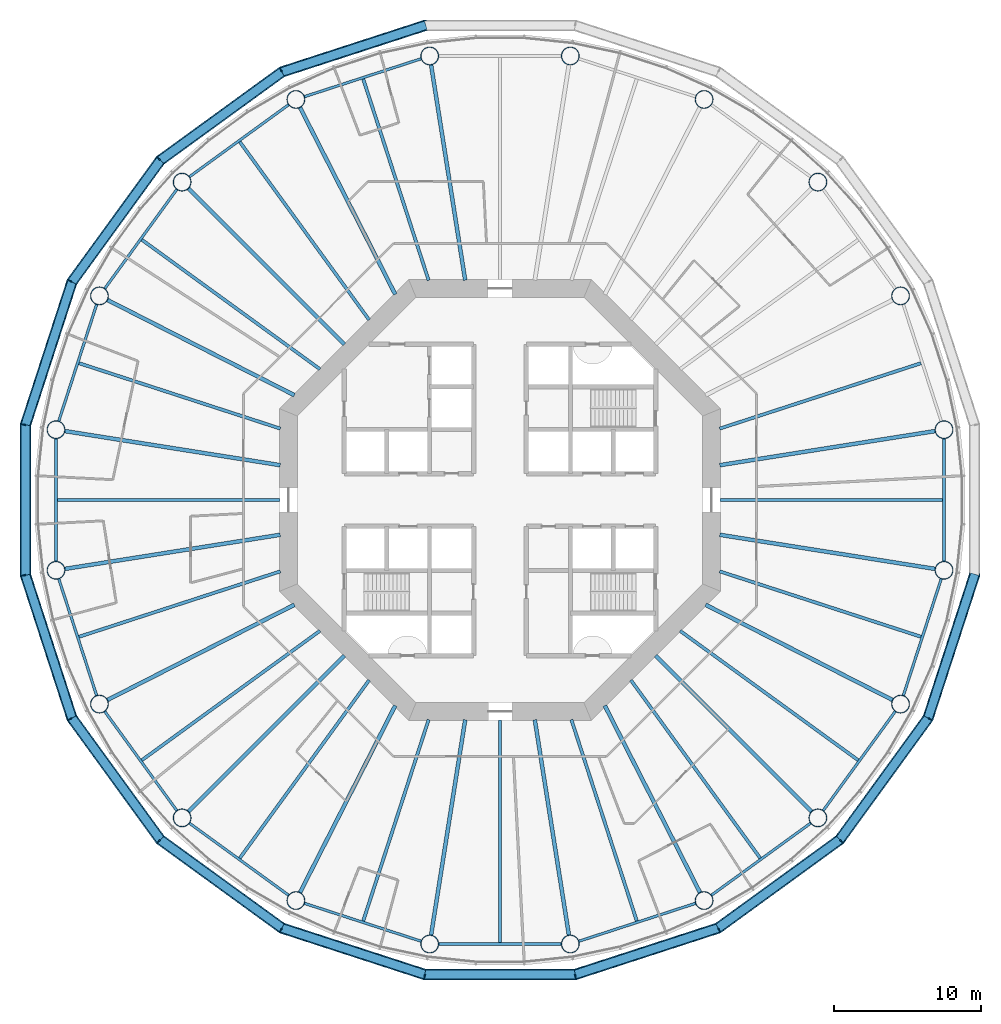
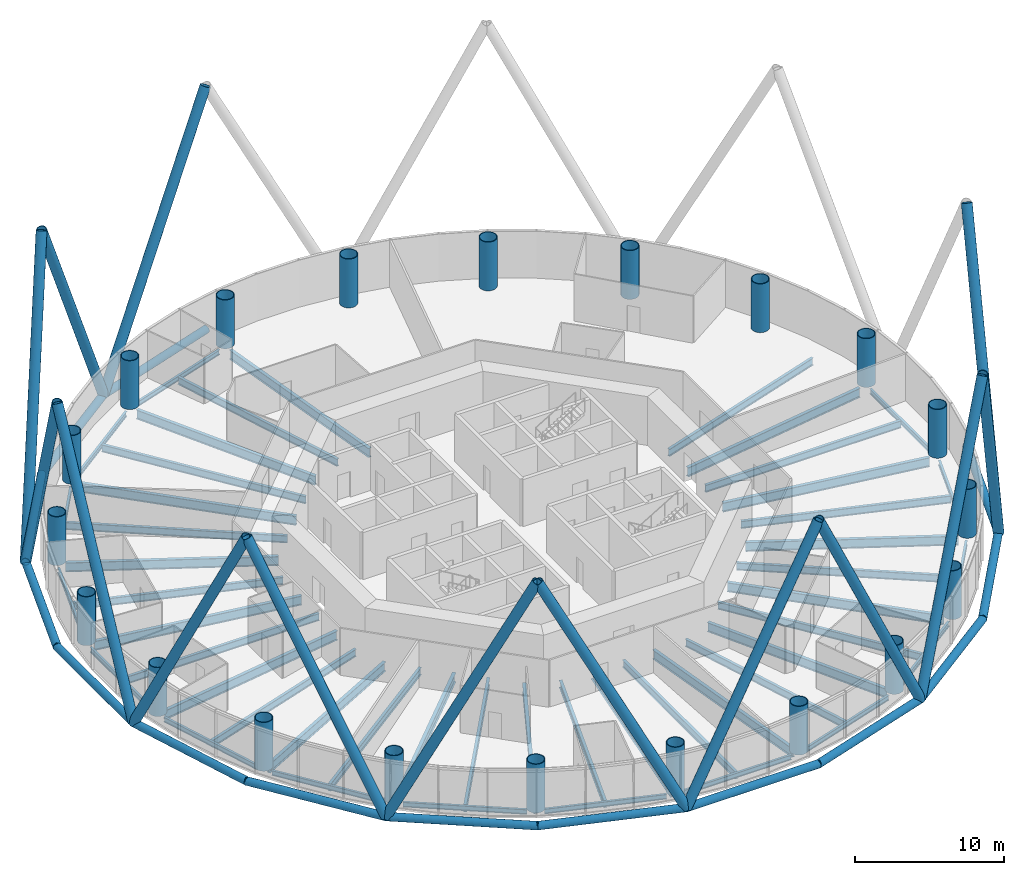
# One storey, part 1 of 13: 47 beams, 28 members, 20 columns.
"""IFC4 building model written with IfcOpenShell, lengths in metres."""

import ifcopenshell
import ifcopenshell.guid

model = None  # the IFC model being written
_history = None  # IfcOwnerHistory: only IFC2X3 demands one
_inside = {}  # id of a spatial element -> (the spatial element, [elements in it])
_under = {}  # id of a project, library or spatial element -> (it, [spatial elements below it])
_declared = {}  # id of a project -> (the project, [libraries it declares])
_typed = {}  # id of a type object -> (the type object, [elements of that type])
_made_of = {}  # id of a material, layer set ... -> (it, [elements and type objects made of it])


def new_model(schema):
    """Start an empty IFC model of exactly this schema.

    Asked for "IFC4X3", IfcOpenShell would pick the latest addendum, in which some entities
    have other attributes; the version numbers below select the first issue.
    IFC2X3 requires an IfcOwnerHistory on every rooted entity: one is made here for all.
    """
    global model, _history
    if schema == "IFC4X3":
        model = ifcopenshell.file(schema_version=(4, 3, 0, 0))
    else:
        model = ifcopenshell.file(schema=schema)
    _inside.clear()
    _under.clear()
    _declared.clear()
    _typed.clear()
    _made_of.clear()
    _history = None
    if model.schema == "IFC2X3":
        org = make("IfcOrganization", Name="unknown")
        user = make(
            "IfcPersonAndOrganization",
            ThePerson=make("IfcPerson", FamilyName="unknown"),
            TheOrganization=org,
        )
        app = make(
            "IfcApplication",
            ApplicationDeveloper=org,
            Version="unknown",
            ApplicationFullName="unknown",
            ApplicationIdentifier="unknown",
        )
        _history = make(
            "IfcOwnerHistory",
            OwningUser=user,
            OwningApplication=app,
            ChangeAction="ADDED",
            CreationDate=0,
        )
    return model


def make(cls, **values):
    """One entity of the class cls with the attributes given. An attribute that is None is left unset."""
    return model.create_entity(
        cls, **{name: value for name, value in values.items() if value is not None}
    )


def rooted(cls, **values):
    """An entity with a GlobalId (a new one), such as an element, a storey or a relation."""
    return make(cls, GlobalId=ifcopenshell.guid.new(), OwnerHistory=_history, **values)


def si_unit(unit_type, name, prefix=None):
    """IfcSIUnit, for example si_unit("LENGTHUNIT", "METRE", prefix="MILLI")."""
    return make("IfcSIUnit", UnitType=unit_type, Prefix=prefix, Name=name)


def assignment(units):
    """IfcUnitAssignment: the units of a project."""
    return None if units is None else make("IfcUnitAssignment", Units=units)


def point(xyz):
    """IfcCartesianPoint."""
    return None if xyz is None else make("IfcCartesianPoint", Coordinates=xyz)


def direction(xyz):
    """IfcDirection."""
    return None if xyz is None else make("IfcDirection", DirectionRatios=xyz)


def frame(location, z_axis=None, x_axis=None):
    """IfcAxis2Placement3D, a coordinate frame: its origin and axes. An axis left out is left unset."""
    return make(
        "IfcAxis2Placement3D",
        Location=point(location),
        Axis=direction(z_axis),
        RefDirection=direction(x_axis),
    )


def frame_2d(location, x_axis=None):
    """IfcAxis2Placement2D, a coordinate frame in the plane: its origin and x axis."""
    return make(
        "IfcAxis2Placement2D", Location=point(location), RefDirection=direction(x_axis)
    )


def origin():
    """The frame at (0, 0, 0) with its axes left unset."""
    return frame((0.0, 0.0, 0.0))


def origin_2d():
    """The frame at (0, 0) in the plane with its x axis left unset."""
    return frame_2d((0.0, 0.0))


def place(relative_to, where):
    """IfcLocalPlacement: puts the frame where relative to a parent placement (None: the world)."""
    return make(
        "IfcLocalPlacement", PlacementRelTo=relative_to, RelativePlacement=where
    )


def context(
    kind, dimensions, precision=None, world=None, true_north=None, identifier=None
):
    """IfcGeometricRepresentationContext, for example the 3D "Model" context."""
    return make(
        "IfcGeometricRepresentationContext",
        ContextIdentifier=identifier,
        ContextType=kind,
        CoordinateSpaceDimension=dimensions,
        Precision=precision,
        WorldCoordinateSystem=world,
        TrueNorth=true_north,
    )


def subcontext(parent, identifier, kind, view, scale=None):
    """IfcGeometricRepresentationSubContext, for example "Body" below "Model"."""
    return make(
        "IfcGeometricRepresentationSubContext",
        ContextIdentifier=identifier,
        ContextType=kind,
        ParentContext=parent,
        TargetScale=scale,
        TargetView=view,
    )


def project(units=None, contexts=None):
    """IfcProject with its units and contexts."""
    return rooted(
        "IfcProject",
        Name="project",
        RepresentationContexts=contexts,
        UnitsInContext=assignment(units),
    )


def spatial(cls, under=None, at=None, **own):
    """A site, building, storey or space (cls), placed at a placement, below another one or the project."""
    s = rooted(cls, ObjectPlacement=at, **own)
    if under is not None:
        _under.setdefault(under.id(), (under, []))[1].append(s)
    return s


def profile(cls, at=None, kind="AREA", **sizes):
    """A parametric profile (cls). Its sizes go by their IFC names, for example OverallWidth=200.0."""
    return make(cls, ProfileType=kind, Position=at, **sizes)


def circle(**sizes):
    """IfcCircleProfileDef."""
    return profile("IfcCircleProfileDef", **sizes)


def hollow_circle(**sizes):
    """IfcCircleHollowProfileDef."""
    return profile("IfcCircleHollowProfileDef", **sizes)


def i_section(**sizes):
    """IfcIShapeProfileDef."""
    return profile("IfcIShapeProfileDef", **sizes)


def extrude(swept, where, along, depth):
    """IfcExtrudedAreaSolid: the profile swept, set in the frame where, extruded along a direction by depth."""
    return make(
        "IfcExtrudedAreaSolid",
        SweptArea=swept,
        Position=where,
        ExtrudedDirection=direction(along),
        Depth=depth,
    )


def shape(context_of_items, identifier, shape_type, items):
    """IfcShapeRepresentation: the items that make up one representation, for example the "Body"."""
    return make(
        "IfcShapeRepresentation",
        ContextOfItems=context_of_items,
        RepresentationIdentifier=identifier,
        RepresentationType=shape_type,
        Items=items,
    )


def material(Name=None, Category=None):
    """IfcMaterial."""
    return make("IfcMaterial", Name=Name, Category=Category)


def material_profile(
    of_material, cross_section, Name=None, Category=None, Priority=None
):
    """IfcMaterialProfile: a cross section and its material."""
    return make(
        "IfcMaterialProfile",
        Name=Name,
        Material=of_material,
        Profile=cross_section,
        Priority=Priority,
        Category=Category,
    )


def profile_set(profiles, Name=None, composite=None):
    """IfcMaterialProfileSet."""
    return make(
        "IfcMaterialProfileSet",
        Name=Name,
        MaterialProfiles=profiles,
        CompositeProfile=composite,
    )


def made_of(thing, what):
    """Note that an element or type object is made of a material, layer set ...; save() writes the relation."""
    if what is not None:
        _made_of.setdefault(what.id(), (what, []))[1].append(thing)
    return thing


def type_object(cls, material=None, **own):
    """A type object (cls), such as IfcWallType, which elements share."""
    return made_of(rooted(cls, **own), material)


def element(
    cls,
    number,
    at=None,
    inside=None,
    cuts=None,
    type_object=None,
    material=None,
    context=None,
    identifier="Body",
    shape_type=None,
    held_by="IfcProductDefinitionShape",
    body=None,
    shapes=None,
    **own,
):
    """One element of the class cls, such as IfcWall. Its Tag is "e" and its number.

    at: its placement. inside: the storey or other place that contains it. cuts: it is an
    opening in that element (IfcRelVoidsElement). A single representation is given by context,
    identifier, shape_type and body (its items); several are given by shapes. held_by: the class
    of the entity that holds the representations. save() writes the other relations.
    """
    e = rooted(cls, Tag="e%d" % number, ObjectPlacement=at, **own)
    if body is not None:
        shapes = [shape(context, identifier, shape_type, body)]
    if shapes is not None:
        e.Representation = make(held_by, Representations=shapes)
    if inside is not None:
        _inside.setdefault(inside.id(), (inside, []))[1].append(e)
    if cuts is not None:
        rooted(
            "IfcRelVoidsElement", RelatingBuildingElement=cuts, RelatedOpeningElement=e
        )
    if type_object is not None:
        _typed.setdefault(type_object.id(), (type_object, []))[1].append(e)
    return made_of(e, material)


def aggregate(whole, parts):
    """IfcRelAggregates: a whole, such as a stair, and the parts it consists of."""
    return rooted("IfcRelAggregates", RelatingObject=whole, RelatedObjects=parts)


def save(model, path):
    """Write the relations noted so far, then the file.

    IfcRelAggregates (storeys below a building ...), IfcRelContainedInSpatialStructure (elements
    in a storey), IfcRelDefinesByType, IfcRelAssociatesMaterial and IfcRelDeclares: one each for
    every whole, place, type object, material and project.
    """
    for whole, parts in _under.values():
        aggregate(whole, parts)
    for where, things in _inside.values():
        rooted(
            "IfcRelContainedInSpatialStructure",
            RelatedElements=things,
            RelatingStructure=where,
        )
    for kind, things in _typed.values():
        rooted("IfcRelDefinesByType", RelatedObjects=things, RelatingType=kind)
    for what, things in _made_of.values():
        rooted("IfcRelAssociatesMaterial", RelatedObjects=things, RelatingMaterial=what)
    for by, libraries in _declared.values():
        rooted("IfcRelDeclares", RelatingContext=by, RelatedDefinitions=libraries)
    model.write(path)


model = new_model("IFC4")

# Units and contexts
model_context = context("Model", 3, precision=1e-05, world=origin(), true_north=direction((0.0, 1.0)))
body_context = subcontext(model_context, "Body", "Model", "MODEL_VIEW")
ifc_project = project(units=[si_unit("LENGTHUNIT", "METRE"), si_unit("AREAUNIT", "SQUARE_METRE"), si_unit("VOLUMEUNIT", "CUBIC_METRE"), si_unit("PLANEANGLEUNIT", "RADIAN"), si_unit("MASSUNIT", "GRAM", prefix="KILO")], contexts=[model_context])

# Site, building, storey
site_placement = place(None, origin())
site = spatial("IfcSite", under=ifc_project, at=site_placement, CompositionType="ELEMENT")
building_placement = place(site_placement, origin())
building = spatial("IfcBuilding", under=site, at=building_placement, Name="Entoto Ring Tower", CompositionType="ELEMENT")
storey_placement = place(building_placement, frame((0.0, 0.0, 96.0)))
storey = spatial("IfcBuildingStorey", under=building, at=storey_placement, Name="L21", CompositionType="ELEMENT", Elevation=96.0)

# Columns
ifc_material_1 = material(Name="Steel S355", Category="steel")
ifc_material_profile_1 = material_profile(ifc_material_1, hollow_circle(Radius=0.625, WallThickness=0.054931640625, at=origin_2d()), Name="CHS 1250 x 55")
ifc_material_2 = material(Name="Concrete C60/75", Category="concrete")
ifc_material_profile_2 = material_profile(ifc_material_2, circle(Radius=0.570068359375, at=origin_2d()), Name="Concrete C60/75 infill")
ifc_profile_set_1 = profile_set([ifc_material_profile_1, ifc_material_profile_2], Name="Steel S355")
column_type = type_object("IfcColumnType", Name="Ring column 1250 x 55 concrete-filled tube", PredefinedType="COLUMN", material=ifc_profile_set_1)
for number, where, z_axis, x_axis, name in (
    (1, (120.22314453125, 84.786865234375, 0.0), (0.0, 0.0, 1.0), (1.0, 0.0, 0.0), "RC2 R01"),
    (2, (117.264892578125, 93.89208984375, 0.0), (0.0, 0.0, 1.0), (1.0, 0.0, 0.0), "RC2 R02"),
    (3, (111.637451171875, 101.637451171875, 0.0), (0.0, 0.0, 1.0), (1.0, 0.0, 0.0), "RC2 R03"),
    (4, (103.89208984375, 107.264892578125, 0.0), (0.0, 0.0, 1.0), (1.0, 0.0, 0.0), "RC2 R04"),
    (5, (94.786865234375, 110.22314453125, 0.0), (0.0, 0.0, 1.0), (1.0, 0.0, 0.0), "RC2 R05"),
    (6, (85.213134765625, 110.22314453125, 0.0), (0.0, 0.0, 1.0), (1.0, 0.0, 0.0), "RC2 R06"),
    (7, (76.10791015625, 107.264892578125, 0.0), (0.0, 0.0, 1.0), (1.0, 0.0, 0.0), "RC2 R07"),
    (8, (68.362548828125, 101.637451171875, 0.0), (0.0, 0.0, 1.0), (1.0, 0.0, 0.0), "RC2 R08"),
    (9, (62.735107421875, 93.89208984375, 0.0), (0.0, 0.0, 1.0), (1.0, 0.0, 0.0), "RC2 R09"),
    (10, (59.77685546875, 84.786865234375, 0.0), (0.0, 0.0, 1.0), (1.0, 0.0, 0.0), "RC2 R10"),
    (11, (59.77685546875, 75.213134765625, 0.0), (0.0, 0.0, 1.0), (1.0, 0.0, 0.0), "RC2 R11"),
    (12, (62.735107421875, 66.10791015625, 0.0), (0.0, 0.0, 1.0), (1.0, 0.0, 0.0), "RC2 R12"),
    (13, (68.362548828125, 58.362548828125, 0.0), (0.0, 0.0, 1.0), (1.0, 0.0, 0.0), "RC2 R13"),
    (14, (76.10791015625, 52.735107421875, 0.0), (0.0, 0.0, 1.0), (1.0, 0.0, 0.0), "RC2 R14"),
    (15, (85.213134765625, 49.77685546875, 0.0), (0.0, 0.0, 1.0), (1.0, 0.0, 0.0), "RC2 R15"),
    (16, (94.786865234375, 49.77685546875, 0.0), (0.0, 0.0, 1.0), (1.0, 0.0, 0.0), "RC2 R16"),
    (17, (103.89208984375, 52.735107421875, 0.0), (0.0, 0.0, 1.0), (1.0, 0.0, 0.0), "RC2 R17"),
    (18, (111.637451171875, 58.362548828125, 0.0), (0.0, 0.0, 1.0), (1.0, 0.0, 0.0), "RC2 R18"),
    (19, (117.264892578125, 66.10791015625, 0.0), (0.0, 0.0, 1.0), (1.0, 0.0, 0.0), "RC2 R19"),
    (20, (120.22314453125, 75.213134765625, 0.0), (0.0, 0.0, 1.0), (1.0, 0.0, 0.0), "RC2 R20"),
):
    element("IfcColumn", number, at=place(storey_placement, frame(where, z_axis=z_axis, x_axis=x_axis)), inside=storey, type_object=column_type, Name=name, PredefinedType="COLUMN", context=body_context, shape_type="SweptSolid", body=[
        extrude(hollow_circle(Radius=0.625, WallThickness=0.054931640625, at=origin_2d()), origin(), (0.0, 0.0, 1.0), 4.0),
    ])

# Members
ifc_material_3 = material(Name="Steel S355", Category="steel")
ifc_material_profile_3 = material_profile(ifc_material_3, hollow_circle(Radius=0.375, WallThickness=0.0380859375, at=origin_2d()), Name="CHS 750 x 38")
ifc_material_4 = material(Name="Concrete C60/75", Category="concrete")
ifc_material_profile_4 = material_profile(ifc_material_4, circle(Radius=0.3369140625, at=origin_2d()), Name="Concrete C60/75 infill")
ifc_profile_set_2 = profile_set([ifc_material_profile_3, ifc_material_profile_4], Name="Steel S355")
member_type_1 = type_object("IfcMemberType", Name="Diagrid diagonal 750 x 38 concrete-filled tube", PredefinedType="BRACE", material=ifc_profile_set_2)
for number, where, z_axis, x_axis, name in (
    (21, (75.154541015625, 109.135986328125, 0.0), (0.433121348428, 0.140725857901, 0.890282051068), (-0.309009448885, 0.95105896794, 0.0), "DG3A module 7 07"),
    (22, (75.154541015625, 109.135986328125, 0.0), (-0.368435420028, -0.2676922089, 0.890278733074), (0.587797047665, -0.809008424404, 0.0), "DG3A module 7 08"),
    (23, (60.864013671875, 94.845458984375, 0.0), (0.2676922089, 0.368435420028, 0.890278733074), (-0.809008424404, 0.587797047665, 0.0), "DG3A module 7 09"),
    (24, (60.864013671875, 94.845458984375, 0.0), (-0.140725857901, -0.433121348428, 0.890282051068), (0.95105896794, -0.309009448885, 0.0), "DG3A module 7 10"),
    (25, (57.70263671875, 74.884521484375, 0.0), (0.0, 0.455419317756, 0.890277060816), (-1.0, 0.0, 0.0), "DG3A module 7 11"),
    (26, (57.70263671875, 74.884521484375, 0.0), (0.140725857901, -0.433121348428, 0.890282051068), (0.95105896794, 0.309009448885, 0.0), "DG3A module 7 12"),
    (27, (66.877685546875, 56.877685546875, 0.0), (-0.2676922089, 0.368435420028, 0.890278733074), (-0.809008424404, -0.587797047665, 0.0), "DG3A module 7 13"),
    (28, (66.877685546875, 56.877685546875, 0.0), (0.368435420028, -0.2676922089, 0.890278733074), (0.587797047665, 0.809008424404, 0.0), "DG3A module 7 14"),
    (29, (84.884521484375, 47.70263671875, 0.0), (-0.433121348428, 0.140725857901, 0.890282051068), (-0.309009448885, -0.95105896794, 0.0), "DG3A module 7 15"),
    (30, (84.884521484375, 47.70263671875, 0.0), (0.455419317756, 0.0, 0.890277060816), (0.0, 1.0, 0.0), "DG3A module 7 16"),
    (31, (104.845458984375, 50.864013671875, 0.0), (-0.433121348428, -0.140725857901, 0.890282051068), (0.309009448885, -0.95105896794, 0.0), "DG3A module 7 17"),
    (32, (104.845458984375, 50.864013671875, 0.0), (0.368435420028, 0.2676922089, 0.890278733074), (-0.587797047665, 0.809008424404, 0.0), "DG3A module 7 18"),
    (33, (119.135986328125, 65.154541015625, 0.0), (-0.2676922089, -0.368435420028, 0.890278733074), (0.809008424404, -0.587797047665, 0.0), "DG3A module 7 19"),
    (34, (119.135986328125, 65.154541015625, 0.0), (0.140725857901, 0.433121348428, 0.890282051068), (-0.95105896794, 0.309009448885, 0.0), "DG3A module 7 20"),
):
    element("IfcMember", number, at=place(storey_placement, frame(where, z_axis=z_axis, x_axis=x_axis)), inside=storey, type_object=member_type_1, Name=name, PredefinedType="BRACE", context=body_context, shape_type="SweptSolid", body=[
        extrude(hollow_circle(Radius=0.375, WallThickness=0.0380859375, at=origin_2d()), origin(), (0.0, 0.0, 1.0), 22.46484375),
    ])
ifc_material_5 = material(Name="Steel S355", Category="steel")
ifc_material_profile_5 = material_profile(ifc_material_5, hollow_circle(Radius=0.300048828125, WallThickness=0.030029296875, at=origin_2d()), Name="CHS 600 x 30")
ifc_material_6 = material(Name="Concrete C60/75", Category="concrete")
ifc_material_profile_6 = material_profile(ifc_material_6, circle(Radius=0.27001953125, at=origin_2d()), Name="Concrete C60/75 infill")
ifc_profile_set_3 = profile_set([ifc_material_profile_5, ifc_material_profile_6], Name="Steel S355")
member_type_2 = type_object("IfcMemberType", Name="Diagrid ring beam 600 x 30", PredefinedType="CHORD", material=ifc_profile_set_3)
member_1_placement = place(storey_placement, frame((84.94873046875, 112.318359375, 0.0), z_axis=(-0.951051375491, -0.309032815696, 0.0), x_axis=(0.309032815696, -0.951051375491, 0.0)))
element("IfcMember", 35, at=member_1_placement, inside=storey, type_object=member_type_2, Name="DR1 ring 6 06", PredefinedType="CHORD", context=body_context, shape_type="SweptSolid", body=[
    extrude(hollow_circle(Radius=0.300048828125, WallThickness=0.030029296875, at=origin_2d()), origin(), (0.0, 0.0, 1.0), 10.36572265625),
])
for number, where, z_axis, x_axis, name in (
    (36, (75.209228515625, 109.175537109375, 0.0), (-0.809025235549, -0.587773909122, 0.0), (0.587773909122, -0.809025235549, 0.0), "DR1 ring 6 07"),
    (37, (66.917236328125, 103.177001953125, 0.0), (-0.587773909122, -0.809025235549, 0.0), (0.809025235549, -0.587773909122, 0.0), "DR1 ring 6 08"),
):
    element("IfcMember", number, at=place(storey_placement, frame(where, z_axis=z_axis, x_axis=x_axis)), inside=storey, type_object=member_type_2, Name=name, PredefinedType="CHORD", context=body_context, shape_type="SweptSolid", body=[
        extrude(hollow_circle(Radius=0.300048828125, WallThickness=0.030029296875, at=origin_2d()), origin(), (0.0, 0.0, 1.0), 10.365966796875),
    ])
for number, where, z_axis, x_axis, name in (
    (38, (60.885009765625, 94.90966796875, 0.0), (-0.309032815696, -0.951051375491, 0.0), (0.951051375491, -0.309032815696, 0.0), "DR1 ring 6 09"),
    (39, (57.70263671875, 85.182861328125, 0.0), (0.0, -1.0, 0.0), (1.0, 0.0, 0.0), "DR1 ring 6 10"),
    (40, (57.681640625, 74.94873046875, 0.0), (0.309032815696, -0.951051375491, 0.0), (0.951051375491, 0.309032815696, 0.0), "DR1 ring 6 11"),
):
    element("IfcMember", number, at=place(storey_placement, frame(where, z_axis=z_axis, x_axis=x_axis)), inside=storey, type_object=member_type_2, Name=name, PredefinedType="CHORD", context=body_context, shape_type="SweptSolid", body=[
        extrude(hollow_circle(Radius=0.300048828125, WallThickness=0.030029296875, at=origin_2d()), origin(), (0.0, 0.0, 1.0), 10.36572265625),
    ])
for number, where, z_axis, x_axis, name in (
    (41, (60.824462890625, 65.209228515625, 0.0), (0.587773909122, -0.809025235549, 0.0), (0.809025235549, 0.587773909122, 0.0), "DR1 ring 6 12"),
    (42, (66.822998046875, 56.917236328125, 0.0), (0.809025235549, -0.587773909122, 0.0), (0.587773909122, 0.809025235549, 0.0), "DR1 ring 6 13"),
):
    element("IfcMember", number, at=place(storey_placement, frame(where, z_axis=z_axis, x_axis=x_axis)), inside=storey, type_object=member_type_2, Name=name, PredefinedType="CHORD", context=body_context, shape_type="SweptSolid", body=[
        extrude(hollow_circle(Radius=0.300048828125, WallThickness=0.030029296875, at=origin_2d()), origin(), (0.0, 0.0, 1.0), 10.365966796875),
    ])
for number, where, z_axis, x_axis, name in (
    (43, (75.09033203125, 50.885009765625, 0.0), (0.951051375491, -0.309032815696, 0.0), (0.309032815696, 0.951051375491, 0.0), "DR1 ring 6 14"),
    (44, (84.817138671875, 47.70263671875, 0.0), (1.0, 0.0, 0.0), (0.0, 1.0, 0.0), "DR1 ring 6 15"),
    (45, (95.05126953125, 47.681640625, 0.0), (0.951051375491, 0.309032815696, 0.0), (-0.309032815696, 0.951051375491, 0.0), "DR1 ring 6 16"),
):
    element("IfcMember", number, at=place(storey_placement, frame(where, z_axis=z_axis, x_axis=x_axis)), inside=storey, type_object=member_type_2, Name=name, PredefinedType="CHORD", context=body_context, shape_type="SweptSolid", body=[
        extrude(hollow_circle(Radius=0.300048828125, WallThickness=0.030029296875, at=origin_2d()), origin(), (0.0, 0.0, 1.0), 10.36572265625),
    ])
for number, where, z_axis, x_axis, name in (
    (46, (104.790771484375, 50.824462890625, 0.0), (0.809025235549, 0.587773909122, 0.0), (-0.587773909122, 0.809025235549, 0.0), "DR1 ring 6 17"),
    (47, (113.082763671875, 56.822998046875, 0.0), (0.587773909122, 0.809025235549, 0.0), (-0.809025235549, 0.587773909122, 0.0), "DR1 ring 6 18"),
):
    element("IfcMember", number, at=place(storey_placement, frame(where, z_axis=z_axis, x_axis=x_axis)), inside=storey, type_object=member_type_2, Name=name, PredefinedType="CHORD", context=body_context, shape_type="SweptSolid", body=[
        extrude(hollow_circle(Radius=0.300048828125, WallThickness=0.030029296875, at=origin_2d()), origin(), (0.0, 0.0, 1.0), 10.365966796875),
    ])
member_2_placement = place(storey_placement, frame((119.114990234375, 65.09033203125, 0.0), z_axis=(0.309032815696, 0.951051375491, 0.0), x_axis=(-0.951051375491, 0.309032815696, 0.0)))
element("IfcMember", 48, at=member_2_placement, inside=storey, type_object=member_type_2, Name="DR1 ring 6 19", PredefinedType="CHORD", context=body_context, shape_type="SweptSolid", body=[
    extrude(hollow_circle(Radius=0.300048828125, WallThickness=0.030029296875, at=origin_2d()), origin(), (0.0, 0.0, 1.0), 10.36572265625),
])

# Beams
ifc_material_7 = material(Name="Steel S355", Category="steel")
ifc_material_profile_7 = material_profile(ifc_material_7, i_section(OverallWidth=0.179931640625, OverallDepth=0.39990234375, WebThickness=0.008544921875, FlangeThickness=0.013427734375, FilletRadius=0.02099609375, at=origin_2d()), Name="IPE 400")
ifc_profile_set_4 = profile_set([ifc_material_profile_7], Name="Steel S355")
beam_type_1 = type_object("IfcBeamType", Name="Edge beam IPE 400", PredefinedType="SPANDREL", material=ifc_profile_set_4)
for number, where, z_axis, x_axis, name in (
    (49, (84.64404296875, 110.038330078125, -0.35009765625), (-0.951057410904, -0.309014241039, 0.0), (0.309014241039, -0.951057410904, 0.0), "Edge beam L21 06"),
    (50, (75.623779296875, 106.9130859375, -0.35009765625), (-0.8090182976, -0.587783458554, 0.0), (0.587783458554, -0.8090182976, 0.0), "Edge beam L21 07"),
    (51, (68.0107421875, 101.1533203125, -0.35009765625), (-0.587783458554, -0.8090182976, 0.0), (0.8090182976, -0.587783458554, 0.0), "Edge beam L21 08"),
    (52, (62.55029296875, 93.322998046875, -0.35009765625), (-0.309014241039, -0.951057410904, 0.0), (0.951057410904, -0.309014241039, 0.0), "Edge beam L21 09"),
    (53, (59.77685546875, 84.1884765625, -0.35009765625), (0.0, -1.0, 0.0), (1.0, 0.0, 0.0), "Edge beam L21 10"),
    (54, (59.961669921875, 74.64404296875, -0.35009765625), (0.309014241039, -0.951057410904, 0.0), (0.951057410904, 0.309014241039, 0.0), "Edge beam L21 11"),
    (55, (63.0869140625, 65.623779296875, -0.35009765625), (0.587783458554, -0.8090182976, 0.0), (0.8090182976, 0.587783458554, 0.0), "Edge beam L21 12"),
    (56, (68.8466796875, 58.0107421875, -0.35009765625), (0.8090182976, -0.587783458554, 0.0), (0.587783458554, 0.8090182976, 0.0), "Edge beam L21 13"),
    (57, (76.677001953125, 52.55029296875, -0.35009765625), (0.951057410904, -0.309014241039, 0.0), (0.309014241039, 0.951057410904, 0.0), "Edge beam L21 14"),
    (58, (85.8115234375, 49.77685546875, -0.35009765625), (1.0, 0.0, 0.0), (0.0, 1.0, 0.0), "Edge beam L21 15"),
    (59, (95.35595703125, 49.961669921875, -0.35009765625), (0.951057410904, 0.309014241039, 0.0), (-0.309014241039, 0.951057410904, 0.0), "Edge beam L21 16"),
    (60, (104.376220703125, 53.0869140625, -0.35009765625), (0.8090182976, 0.587783458554, 0.0), (-0.587783458554, 0.8090182976, 0.0), "Edge beam L21 17"),
    (61, (111.9892578125, 58.8466796875, -0.35009765625), (0.587783458554, 0.8090182976, 0.0), (-0.8090182976, 0.587783458554, 0.0), "Edge beam L21 18"),
    (62, (117.44970703125, 66.677001953125, -0.35009765625), (0.309014241039, 0.951057410904, 0.0), (-0.951057410904, 0.309014241039, 0.0), "Edge beam L21 19"),
    (63, (120.22314453125, 75.8115234375, -0.35009765625), (0.0, 1.0, 0.0), (-1.0, 0.0, 0.0), "Edge beam L21 20"),
):
    element("IfcBeam", number, at=place(storey_placement, frame(where, z_axis=z_axis, x_axis=x_axis)), inside=storey, type_object=beam_type_1, Name=name, PredefinedType="SPANDREL", context=body_context, shape_type="SweptSolid", body=[
        extrude(i_section(OverallWidth=0.179931640625, OverallDepth=0.39990234375, WebThickness=0.008544921875, FlangeThickness=0.013427734375, FilletRadius=0.02099609375, at=origin_2d()), origin(), (0.0, 0.0, 1.0), 8.376953125),
    ])
ifc_material_8 = material(Name="Steel S355", Category="steel")
ifc_material_profile_8 = material_profile(ifc_material_8, i_section(OverallWidth=0.262939453125, OverallDepth=0.7529296875, WebThickness=0.011474609375, FlangeThickness=0.01708984375, FilletRadius=0.01708984375, at=origin_2d()), Name="IPE 750 x 137")
ifc_profile_set_5 = profile_set([ifc_material_profile_8], Name="Steel S355")
beam_type_2 = type_object("IfcBeamType", Name="Primary floor beam IPE 750 x 137", PredefinedType="BEAM", material=ifc_profile_set_5)
for number, where, z_axis, x_axis, name in (
    (64, (104.959716796875, 82.369384765625, -0.526611328125), (0.98768960451, 0.156426484787, 0.0), (-0.156426484787, 0.98768960451, 0.0), "Primary L21 R01"),
    (65, (87.630615234375, 94.959716796875, -0.526611328125), (-0.156426484787, 0.98768960451, 0.0), (-0.98768960451, -0.156426484787, 0.0), "Primary L21 R06"),
):
    element("IfcBeam", number, at=place(storey_placement, frame(where, z_axis=z_axis, x_axis=x_axis)), inside=storey, type_object=beam_type_2, Name=name, PredefinedType="BEAM", context=body_context, shape_type="SweptSolid", body=[
        extrude(i_section(OverallWidth=0.262939453125, OverallDepth=0.7529296875, WebThickness=0.011474609375, FlangeThickness=0.01708984375, FilletRadius=0.01708984375, at=origin_2d()), origin(), (0.0, 0.0, 1.0), 14.86279296875),
    ])
beam_1_placement = place(storey_placement, frame((82.8681640625, 93.9970703125, -0.526611328125), z_axis=(-0.453988952421, 0.891007312585, 0.0), x_axis=(-0.891007312585, -0.453988952421, 0.0)))
element("IfcBeam", 66, at=beam_1_placement, inside=storey, type_object=beam_type_2, Name="Primary L21 R07", PredefinedType="BEAM", context=body_context, shape_type="SweptSolid", body=[
    extrude(i_section(OverallWidth=0.262939453125, OverallDepth=0.7529296875, WebThickness=0.011474609375, FlangeThickness=0.01708984375, FilletRadius=0.01708984375, at=origin_2d()), origin(), (0.0, 0.0, 1.0), 14.2998046875),
])
beam_2_placement = place(storey_placement, frame((79.407470703125, 90.592529296875, -0.526611328125), z_axis=(-0.707106781187, 0.707106781187, 0.0), x_axis=(-0.707106781187, -0.707106781187, 0.0)))
element("IfcBeam", 67, at=beam_2_placement, inside=storey, type_object=beam_type_2, Name="Primary L21 R08", PredefinedType="BEAM", context=body_context, shape_type="SweptSolid", body=[
    extrude(i_section(OverallWidth=0.262939453125, OverallDepth=0.7529296875, WebThickness=0.011474609375, FlangeThickness=0.01708984375, FilletRadius=0.01708984375, at=origin_2d()), origin(), (0.0, 0.0, 1.0), 15.029052734375),
])
beam_3_placement = place(storey_placement, frame((76.0029296875, 87.1318359375, -0.526611328125), z_axis=(-0.891007312585, 0.453988952421, 0.0), x_axis=(-0.453988952421, -0.891007312585, 0.0)))
element("IfcBeam", 68, at=beam_3_placement, inside=storey, type_object=beam_type_2, Name="Primary L21 R09", PredefinedType="BEAM", context=body_context, shape_type="SweptSolid", body=[
    extrude(i_section(OverallWidth=0.262939453125, OverallDepth=0.7529296875, WebThickness=0.011474609375, FlangeThickness=0.01708984375, FilletRadius=0.01708984375, at=origin_2d()), origin(), (0.0, 0.0, 1.0), 14.2998046875),
])
for number, where, z_axis, x_axis, name in (
    (69, (75.040283203125, 82.369384765625, -0.526611328125), (-0.98768960451, 0.156426484787, 0.0), (-0.156426484787, -0.98768960451, 0.0), "Primary L21 R10"),
    (70, (75.040283203125, 77.630615234375, -0.526611328125), (-0.98768960451, -0.156426484787, 0.0), (0.156426484787, -0.98768960451, 0.0), "Primary L21 R11"),
):
    element("IfcBeam", number, at=place(storey_placement, frame(where, z_axis=z_axis, x_axis=x_axis)), inside=storey, type_object=beam_type_2, Name=name, PredefinedType="BEAM", context=body_context, shape_type="SweptSolid", body=[
        extrude(i_section(OverallWidth=0.262939453125, OverallDepth=0.7529296875, WebThickness=0.011474609375, FlangeThickness=0.01708984375, FilletRadius=0.01708984375, at=origin_2d()), origin(), (0.0, 0.0, 1.0), 14.86279296875),
    ])
beam_4_placement = place(storey_placement, frame((76.0029296875, 72.8681640625, -0.526611328125), z_axis=(-0.891007312585, -0.453988952421, 0.0), x_axis=(0.453988952421, -0.891007312585, 0.0)))
element("IfcBeam", 71, at=beam_4_placement, inside=storey, type_object=beam_type_2, Name="Primary L21 R12", PredefinedType="BEAM", context=body_context, shape_type="SweptSolid", body=[
    extrude(i_section(OverallWidth=0.262939453125, OverallDepth=0.7529296875, WebThickness=0.011474609375, FlangeThickness=0.01708984375, FilletRadius=0.01708984375, at=origin_2d()), origin(), (0.0, 0.0, 1.0), 14.2998046875),
])
beam_5_placement = place(storey_placement, frame((79.407470703125, 69.407470703125, -0.526611328125), z_axis=(-0.707106781187, -0.707106781187, 0.0), x_axis=(0.707106781187, -0.707106781187, 0.0)))
element("IfcBeam", 72, at=beam_5_placement, inside=storey, type_object=beam_type_2, Name="Primary L21 R13", PredefinedType="BEAM", context=body_context, shape_type="SweptSolid", body=[
    extrude(i_section(OverallWidth=0.262939453125, OverallDepth=0.7529296875, WebThickness=0.011474609375, FlangeThickness=0.01708984375, FilletRadius=0.01708984375, at=origin_2d()), origin(), (0.0, 0.0, 1.0), 15.029052734375),
])
beam_6_placement = place(storey_placement, frame((82.8681640625, 66.0029296875, -0.526611328125), z_axis=(-0.453988952421, -0.891007312585, 0.0), x_axis=(0.891007312585, -0.453988952421, 0.0)))
element("IfcBeam", 73, at=beam_6_placement, inside=storey, type_object=beam_type_2, Name="Primary L21 R14", PredefinedType="BEAM", context=body_context, shape_type="SweptSolid", body=[
    extrude(i_section(OverallWidth=0.262939453125, OverallDepth=0.7529296875, WebThickness=0.011474609375, FlangeThickness=0.01708984375, FilletRadius=0.01708984375, at=origin_2d()), origin(), (0.0, 0.0, 1.0), 14.2998046875),
])
for number, where, z_axis, x_axis, name in (
    (74, (87.630615234375, 65.040283203125, -0.526611328125), (-0.156426484787, -0.98768960451, 0.0), (0.98768960451, -0.156426484787, 0.0), "Primary L21 R15"),
    (75, (92.369384765625, 65.040283203125, -0.526611328125), (0.156426484787, -0.98768960451, 0.0), (0.98768960451, 0.156426484787, 0.0), "Primary L21 R16"),
):
    element("IfcBeam", number, at=place(storey_placement, frame(where, z_axis=z_axis, x_axis=x_axis)), inside=storey, type_object=beam_type_2, Name=name, PredefinedType="BEAM", context=body_context, shape_type="SweptSolid", body=[
        extrude(i_section(OverallWidth=0.262939453125, OverallDepth=0.7529296875, WebThickness=0.011474609375, FlangeThickness=0.01708984375, FilletRadius=0.01708984375, at=origin_2d()), origin(), (0.0, 0.0, 1.0), 14.86279296875),
    ])
beam_7_placement = place(storey_placement, frame((97.1318359375, 66.0029296875, -0.526611328125), z_axis=(0.453988952421, -0.891007312585, 0.0), x_axis=(0.891007312585, 0.453988952421, 0.0)))
element("IfcBeam", 76, at=beam_7_placement, inside=storey, type_object=beam_type_2, Name="Primary L21 R17", PredefinedType="BEAM", context=body_context, shape_type="SweptSolid", body=[
    extrude(i_section(OverallWidth=0.262939453125, OverallDepth=0.7529296875, WebThickness=0.011474609375, FlangeThickness=0.01708984375, FilletRadius=0.01708984375, at=origin_2d()), origin(), (0.0, 0.0, 1.0), 14.2998046875),
])
beam_8_placement = place(storey_placement, frame((100.592529296875, 69.407470703125, -0.526611328125), z_axis=(0.707106781187, -0.707106781187, 0.0), x_axis=(0.707106781187, 0.707106781187, 0.0)))
element("IfcBeam", 77, at=beam_8_placement, inside=storey, type_object=beam_type_2, Name="Primary L21 R18", PredefinedType="BEAM", context=body_context, shape_type="SweptSolid", body=[
    extrude(i_section(OverallWidth=0.262939453125, OverallDepth=0.7529296875, WebThickness=0.011474609375, FlangeThickness=0.01708984375, FilletRadius=0.01708984375, at=origin_2d()), origin(), (0.0, 0.0, 1.0), 15.029052734375),
])
beam_9_placement = place(storey_placement, frame((103.9970703125, 72.8681640625, -0.526611328125), z_axis=(0.891007312585, -0.453988952421, 0.0), x_axis=(0.453988952421, 0.891007312585, 0.0)))
element("IfcBeam", 78, at=beam_9_placement, inside=storey, type_object=beam_type_2, Name="Primary L21 R19", PredefinedType="BEAM", context=body_context, shape_type="SweptSolid", body=[
    extrude(i_section(OverallWidth=0.262939453125, OverallDepth=0.7529296875, WebThickness=0.011474609375, FlangeThickness=0.01708984375, FilletRadius=0.01708984375, at=origin_2d()), origin(), (0.0, 0.0, 1.0), 14.2998046875),
])
beam_10_placement = place(storey_placement, frame((104.959716796875, 77.630615234375, -0.526611328125), z_axis=(0.98768960451, -0.156426484787, 0.0), x_axis=(0.156426484787, 0.98768960451, 0.0)))
element("IfcBeam", 79, at=beam_10_placement, inside=storey, type_object=beam_type_2, Name="Primary L21 R20", PredefinedType="BEAM", context=body_context, shape_type="SweptSolid", body=[
    extrude(i_section(OverallWidth=0.262939453125, OverallDepth=0.7529296875, WebThickness=0.011474609375, FlangeThickness=0.01708984375, FilletRadius=0.01708984375, at=origin_2d()), origin(), (0.0, 0.0, 1.0), 14.86279296875),
])
ifc_material_9 = material(Name="Steel S355", Category="steel")
ifc_material_profile_9 = material_profile(ifc_material_9, i_section(OverallWidth=0.219970703125, OverallDepth=0.60009765625, WebThickness=0.011962890625, FlangeThickness=0.01904296875, FilletRadius=0.02392578125, at=origin_2d()), Name="IPE 600")
ifc_profile_set_6 = profile_set([ifc_material_profile_9], Name="Steel S355")
beam_type_3 = type_object("IfcBeamType", Name="Secondary floor beam IPE 600", PredefinedType="JOIST", material=ifc_profile_set_6)
for number, where, z_axis, x_axis, name in (
    (80, (104.947021484375, 84.856689453125, -0.449951171875), (0.951057212949, 0.309014850288, 0.0), (-0.309014850288, 0.951057212949, 0.0), "Secondary beam L21 01"),
    (81, (85.143310546875, 94.947021484375, -0.449951171875), (-0.309014850288, 0.951057212949, 0.0), (-0.951057212949, -0.309014850288, 0.0), "Secondary beam L21 06"),
):
    element("IfcBeam", number, at=place(storey_placement, frame(where, z_axis=z_axis, x_axis=x_axis)), inside=storey, type_object=beam_type_3, Name=name, PredefinedType="JOIST", context=body_context, shape_type="SweptSolid", body=[
        extrude(i_section(OverallWidth=0.219970703125, OverallDepth=0.60009765625, WebThickness=0.011962890625, FlangeThickness=0.01904296875, FilletRadius=0.02392578125, at=origin_2d()), origin(), (0.0, 0.0, 1.0), 14.4169921875),
    ])
for number, where, z_axis, x_axis, name in (
    (82, (81.09521484375, 92.25634765625, -0.449951171875), (-0.587782163866, 0.809019238239, 0.0), (-0.809019238239, -0.587782163866, 0.0), "Secondary beam L21 07"),
    (83, (77.74365234375, 88.90478515625, -0.449951171875), (-0.809019238239, 0.587782163866, 0.0), (-0.587782163866, -0.809019238239, 0.0), "Secondary beam L21 08"),
):
    element("IfcBeam", number, at=place(storey_placement, frame(where, z_axis=z_axis, x_axis=x_axis)), inside=storey, type_object=beam_type_3, Name=name, PredefinedType="JOIST", context=body_context, shape_type="SweptSolid", body=[
        extrude(i_section(OverallWidth=0.219970703125, OverallDepth=0.60009765625, WebThickness=0.011962890625, FlangeThickness=0.01904296875, FilletRadius=0.02392578125, at=origin_2d()), origin(), (0.0, 0.0, 1.0), 14.983642578125),
    ])
beam_11_placement = place(storey_placement, frame((75.052978515625, 84.856689453125, -0.449951171875), z_axis=(-0.951057212949, 0.309014850288, 0.0), x_axis=(-0.309014850288, -0.951057212949, 0.0)))
element("IfcBeam", 84, at=beam_11_placement, inside=storey, type_object=beam_type_3, Name="Secondary beam L21 09", PredefinedType="JOIST", context=body_context, shape_type="SweptSolid", body=[
    extrude(i_section(OverallWidth=0.219970703125, OverallDepth=0.60009765625, WebThickness=0.011962890625, FlangeThickness=0.01904296875, FilletRadius=0.02392578125, at=origin_2d()), origin(), (0.0, 0.0, 1.0), 14.4169921875),
])
beam_12_placement = place(storey_placement, frame((75.02001953125, 80.0, -0.449951171875), z_axis=(-1.0, 0.0, 0.0), x_axis=(0.0, -1.0, 0.0)))
element("IfcBeam", 85, at=beam_12_placement, inside=storey, type_object=beam_type_3, Name="Secondary beam L21 10", PredefinedType="JOIST", context=body_context, shape_type="SweptSolid", body=[
    extrude(i_section(OverallWidth=0.219970703125, OverallDepth=0.60009765625, WebThickness=0.011962890625, FlangeThickness=0.01904296875, FilletRadius=0.02392578125, at=origin_2d()), origin(), (0.0, 0.0, 1.0), 15.1533203125),
])
beam_13_placement = place(storey_placement, frame((75.052978515625, 75.143310546875, -0.449951171875), z_axis=(-0.951057212949, -0.309014850288, 0.0), x_axis=(0.309014850288, -0.951057212949, 0.0)))
element("IfcBeam", 86, at=beam_13_placement, inside=storey, type_object=beam_type_3, Name="Secondary beam L21 11", PredefinedType="JOIST", context=body_context, shape_type="SweptSolid", body=[
    extrude(i_section(OverallWidth=0.219970703125, OverallDepth=0.60009765625, WebThickness=0.011962890625, FlangeThickness=0.01904296875, FilletRadius=0.02392578125, at=origin_2d()), origin(), (0.0, 0.0, 1.0), 14.4169921875),
])
for number, where, z_axis, x_axis, name in (
    (87, (77.74365234375, 71.09521484375, -0.449951171875), (-0.809019238239, -0.587782163866, 0.0), (0.587782163866, -0.809019238239, 0.0), "Secondary beam L21 12"),
    (88, (81.09521484375, 67.74365234375, -0.449951171875), (-0.587782163866, -0.809019238239, 0.0), (0.809019238239, -0.587782163866, 0.0), "Secondary beam L21 13"),
):
    element("IfcBeam", number, at=place(storey_placement, frame(where, z_axis=z_axis, x_axis=x_axis)), inside=storey, type_object=beam_type_3, Name=name, PredefinedType="JOIST", context=body_context, shape_type="SweptSolid", body=[
        extrude(i_section(OverallWidth=0.219970703125, OverallDepth=0.60009765625, WebThickness=0.011962890625, FlangeThickness=0.01904296875, FilletRadius=0.02392578125, at=origin_2d()), origin(), (0.0, 0.0, 1.0), 14.983642578125),
    ])
beam_14_placement = place(storey_placement, frame((85.143310546875, 65.052978515625, -0.449951171875), z_axis=(-0.309014850288, -0.951057212949, 0.0), x_axis=(0.951057212949, -0.309014850288, 0.0)))
element("IfcBeam", 89, at=beam_14_placement, inside=storey, type_object=beam_type_3, Name="Secondary beam L21 14", PredefinedType="JOIST", context=body_context, shape_type="SweptSolid", body=[
    extrude(i_section(OverallWidth=0.219970703125, OverallDepth=0.60009765625, WebThickness=0.011962890625, FlangeThickness=0.01904296875, FilletRadius=0.02392578125, at=origin_2d()), origin(), (0.0, 0.0, 1.0), 14.4169921875),
])
beam_15_placement = place(storey_placement, frame((90.0, 65.02001953125, -0.449951171875), z_axis=(0.0, -1.0, 0.0), x_axis=(1.0, 0.0, 0.0)))
element("IfcBeam", 90, at=beam_15_placement, inside=storey, type_object=beam_type_3, Name="Secondary beam L21 15", PredefinedType="JOIST", context=body_context, shape_type="SweptSolid", body=[
    extrude(i_section(OverallWidth=0.219970703125, OverallDepth=0.60009765625, WebThickness=0.011962890625, FlangeThickness=0.01904296875, FilletRadius=0.02392578125, at=origin_2d()), origin(), (0.0, 0.0, 1.0), 15.1533203125),
])
beam_16_placement = place(storey_placement, frame((94.856689453125, 65.052978515625, -0.449951171875), z_axis=(0.309014850288, -0.951057212949, 0.0), x_axis=(0.951057212949, 0.309014850288, 0.0)))
element("IfcBeam", 91, at=beam_16_placement, inside=storey, type_object=beam_type_3, Name="Secondary beam L21 16", PredefinedType="JOIST", context=body_context, shape_type="SweptSolid", body=[
    extrude(i_section(OverallWidth=0.219970703125, OverallDepth=0.60009765625, WebThickness=0.011962890625, FlangeThickness=0.01904296875, FilletRadius=0.02392578125, at=origin_2d()), origin(), (0.0, 0.0, 1.0), 14.4169921875),
])
for number, where, z_axis, x_axis, name in (
    (92, (98.90478515625, 67.74365234375, -0.449951171875), (0.587782163866, -0.809019238239, 0.0), (0.809019238239, 0.587782163866, 0.0), "Secondary beam L21 17"),
    (93, (102.25634765625, 71.09521484375, -0.449951171875), (0.809019238239, -0.587782163866, 0.0), (0.587782163866, 0.809019238239, 0.0), "Secondary beam L21 18"),
):
    element("IfcBeam", number, at=place(storey_placement, frame(where, z_axis=z_axis, x_axis=x_axis)), inside=storey, type_object=beam_type_3, Name=name, PredefinedType="JOIST", context=body_context, shape_type="SweptSolid", body=[
        extrude(i_section(OverallWidth=0.219970703125, OverallDepth=0.60009765625, WebThickness=0.011962890625, FlangeThickness=0.01904296875, FilletRadius=0.02392578125, at=origin_2d()), origin(), (0.0, 0.0, 1.0), 14.983642578125),
    ])
beam_17_placement = place(storey_placement, frame((104.947021484375, 75.143310546875, -0.449951171875), z_axis=(0.951057212949, -0.309014850288, 0.0), x_axis=(0.309014850288, 0.951057212949, 0.0)))
element("IfcBeam", 94, at=beam_17_placement, inside=storey, type_object=beam_type_3, Name="Secondary beam L21 19", PredefinedType="JOIST", context=body_context, shape_type="SweptSolid", body=[
    extrude(i_section(OverallWidth=0.219970703125, OverallDepth=0.60009765625, WebThickness=0.011962890625, FlangeThickness=0.01904296875, FilletRadius=0.02392578125, at=origin_2d()), origin(), (0.0, 0.0, 1.0), 14.4169921875),
])
beam_18_placement = place(storey_placement, frame((104.97998046875, 80.0, -0.449951171875), z_axis=(1.0, 0.0, 0.0), x_axis=(0.0, 1.0, 0.0)))
element("IfcBeam", 95, at=beam_18_placement, inside=storey, type_object=beam_type_3, Name="Secondary beam L21 20", PredefinedType="JOIST", context=body_context, shape_type="SweptSolid", body=[
    extrude(i_section(OverallWidth=0.219970703125, OverallDepth=0.60009765625, WebThickness=0.011962890625, FlangeThickness=0.01904296875, FilletRadius=0.02392578125, at=origin_2d()), origin(), (0.0, 0.0, 1.0), 15.1533203125),
])

save(model, "model.ifc")
